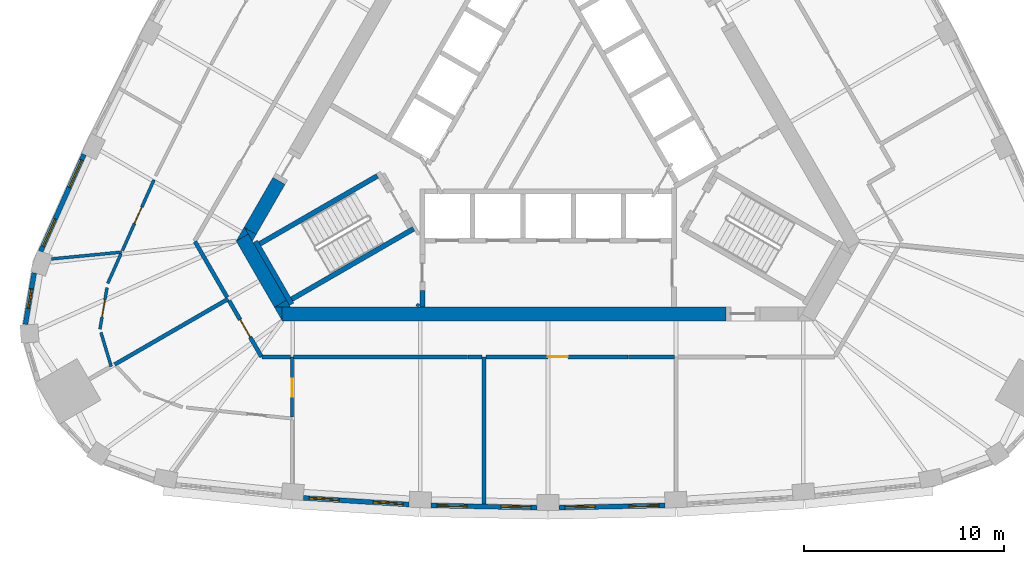
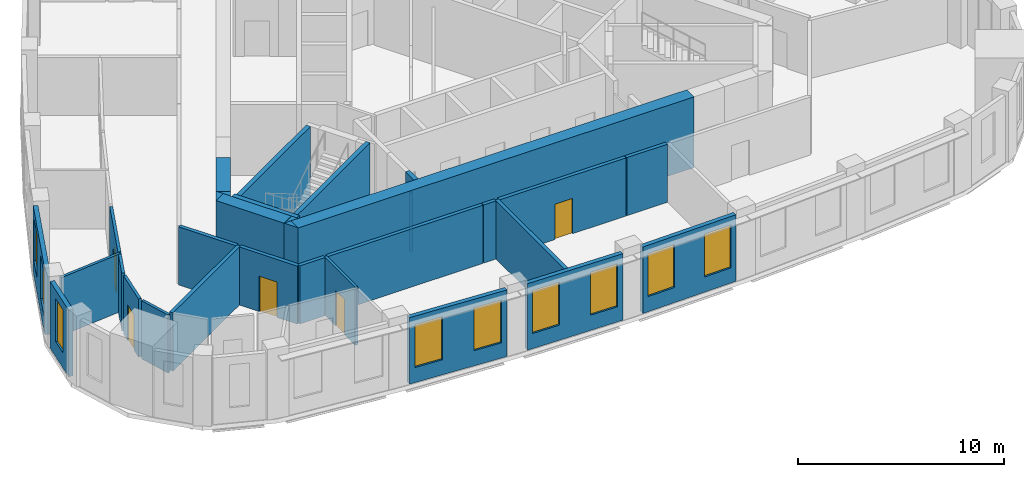
# One storey, part 3 of 10: 32 walls, 9 windows, 5 doors, 14 openings.
"""IFC4 building model written with IfcOpenShell, lengths in metres."""

from ifc_helpers import new_model, si_unit, direction, frame, frame_2d, origin, place, context, subcontext, project, spatial, polyline, rectangle, outline, extrude, material, layer, layer_set, type_object, element, fill, save


model = new_model("IFC4")

# Units and contexts
model_context = context("Model", 3, precision=1e-05, world=origin(), true_north=direction((0.0, 1.0)))
body_context = subcontext(model_context, "Body", "Model", "MODEL_VIEW")
ifc_project = project(units=[si_unit("LENGTHUNIT", "METRE"), si_unit("AREAUNIT", "SQUARE_METRE"), si_unit("VOLUMEUNIT", "CUBIC_METRE"), si_unit("PLANEANGLEUNIT", "RADIAN"), si_unit("MASSUNIT", "GRAM", prefix="KILO")], contexts=[model_context])

# Site, building, storey
site_placement = place(None, origin())
site = spatial("IfcSite", under=ifc_project, at=site_placement, CompositionType="ELEMENT")
building_placement = place(site_placement, origin())
building = spatial("IfcBuilding", under=site, at=building_placement, Name="Mestral Congress Tower", CompositionType="ELEMENT")
storey_placement = place(building_placement, frame((0.0, 0.0, 218.39990234375)))
storey = spatial("IfcBuildingStorey", under=building, at=storey_placement, Name="L51", CompositionType="ELEMENT", Elevation=218.39990234375)

# Walls
ifc_material_1 = material(Name="Fire-rated board partition")
ifc_layer_1 = layer(ifc_material_1, 0.14990234375)
ifc_layer_set_1 = layer_set([ifc_layer_1], Name="Fire-rated board partition")
wall_type_1 = type_object("IfcWallType", Name="Core partition 150", PredefinedType="PARTITIONING", material=ifc_layer_set_1)
wall_1_placement = place(storey_placement, frame((-6.552978515625, -9.6181640625, 0.0), z_axis=(0.0, 0.0, 1.0), x_axis=(0.499915430684, 0.866074224396, 0.0)))
element("IfcWall", 1, at=wall_1_placement, inside=storey, type_object=wall_type_1, Name="L51 core wall", PredefinedType="PARTITIONING", context=body_context, shape_type="SweptSolid", body=[
    extrude(rectangle(XDim=0.14599609375, YDim=0.14990234375, at=frame_2d((0.072998046875, 0.0))), origin(), (0.0, 0.0, 1.0), 3.4501953125),
])
ifc_material_2 = material(Name="Concrete C60/75", Category="concrete")
ifc_layer_2 = layer(ifc_material_2, 0.699951171875)
ifc_layer_set_2 = layer_set([ifc_layer_2], Name="Concrete C60/75")
wall_type_2 = type_object("IfcWallType", Name="Core wall RC 700", PredefinedType="SOLIDWALL", material=ifc_layer_set_2)
wall_2_placement = place(storey_placement, frame((8.904296875, -10.0, 0.0), z_axis=(0.0, 0.0, 1.0), x_axis=(-1.0, 0.0, 0.0)))
element("IfcWall", 2, at=wall_2_placement, inside=storey, type_object=wall_type_2, Name="L51 core wall", PredefinedType="SOLIDWALL", context=body_context, shape_type="SweptSolid", body=[
    extrude(rectangle(XDim=22.226318359375, YDim=0.699951171875, at=frame_2d((11.11328125, 0.0))), origin(), (0.0, 0.0, 1.0), 4.2001953125),
])
placement = place(storey_placement, origin())
element("IfcWall", 3, at=placement, inside=storey, type_object=wall_type_2, Name="L51 core wall", PredefinedType="SOLIDWALL", context=body_context, shape_type="SweptSolid", body=[
    extrude(outline(polyline([(-13.7119140625, -9.64990234375), (-13.323974609375, -9.64990234375), (-13.323974609375, -10.322021484375), (-13.7119140625, -9.64990234375)])), origin(), (0.0, 0.0, 1.0), 4.2001953125),
])
wall_4_placement = place(storey_placement, frame((-13.40185546875, -9.4873046875, 0.0), z_axis=(0.0, 0.0, 1.0), x_axis=(-0.500020498207, 0.866013568815, 0.0)))
element("IfcWall", 4, at=wall_4_placement, inside=storey, type_object=wall_type_2, Name="L51 core wall", PredefinedType="SOLIDWALL", context=body_context, shape_type="SweptSolid", body=[
    extrude(rectangle(XDim=3.828857421875, YDim=0.699951171875, at=frame_2d((1.91455078125, 0.0))), origin(), (0.0, 0.0, 1.0), 4.2001953125),
])
element("IfcWall", 5, at=placement, inside=storey, type_object=wall_type_2, Name="L51 core wall", PredefinedType="SOLIDWALL", context=body_context, shape_type="SweptSolid", body=[
    extrude(outline(polyline([(-15.01416015625, -5.99462890625), (-15.611083984375, -6.33935546875), (-15.213134765625, -5.64990234375), (-15.01416015625, -5.99462890625)])), origin(), (0.0, 0.0, 1.0), 4.2001953125),
])
element("IfcWall", 6, at=placement, inside=storey, type_object=wall_type_2, Name="L51 core wall", PredefinedType="SOLIDWALL", context=body_context, shape_type="SweptSolid", body=[
    extrude(outline(polyline([(-12.90380859375, -9.64990234375), (-13.6796875, -9.64990234375), (-13.097900390625, -9.31396484375), (-12.90380859375, -9.64990234375)])), origin(), (0.0, 0.0, 1.0), 4.2001953125),
])
wall_7_placement = place(storey_placement, frame((-13.47509765625, -3.33935546875, 0.0), z_axis=(0.0, 0.0, 1.0), x_axis=(-0.499944726303, -0.866057313716, 0.0)))
element("IfcWall", 7, at=wall_7_placement, inside=storey, type_object=wall_type_2, Name="L51 core wall", PredefinedType="SOLIDWALL", context=body_context, shape_type="SweptSolid", body=[
    extrude(rectangle(XDim=2.884033203125, YDim=0.699951171875, at=frame_2d((1.44189453125, 0.0))), origin(), (0.0, 0.0, 1.0), 4.2001953125),
])
element("IfcWall", 8, at=placement, inside=storey, type_object=wall_type_2, Name="L51 core wall", PredefinedType="SOLIDWALL", context=body_context, shape_type="SweptSolid", body=[
    extrude(outline(polyline([(-14.80908203125, -6.35009765625), (-15.197021484375, -5.677978515625), (-14.614990234375, -6.013916015625), (-14.80908203125, -6.35009765625)])), origin(), (0.0, 0.0, 1.0), 4.2001953125),
])

# Wall, openings, windows
ifc_material_3 = material(Name="Precast concrete C40/50 with limestone facing", Category="masonry")
ifc_layer_3 = layer(ifc_material_3, 0.239990234375)
ifc_layer_set_3 = layer_set([ifc_layer_3], Name="Precast concrete C40/50 with limestone facing")
wall_type_3 = type_object("IfcWallType", Name="Facade stone wall 240", PredefinedType="SOLIDWALL", material=ifc_layer_set_3)
wall_9_placement = place(storey_placement, frame((-12.253173828125, -19.21337890625, 0.0), z_axis=(0.0, 0.0, 1.0), x_axis=(0.9980633213, -0.062206162685, 0.0)))
wall_9 = element("IfcWall", 9, at=wall_9_placement, inside=storey, type_object=wall_type_3, Name="Facade wall F0-01", PredefinedType="SOLIDWALL", context=body_context, shape_type="SweptSolid", body=[
    extrude(rectangle(XDim=5.29833984375, YDim=0.239990234375, at=frame_2d((2.649169921875, 0.0))), origin(), (0.0, 0.0, 1.0), 3.9501953125),
])
opening_1_placement = place(wall_9_placement, frame((0.29443359375, 0.0, 0.89990234375)))
opening_1 = element("IfcOpeningElement", 10, at=opening_1_placement, cuts=wall_9, Name="Opening W4", PredefinedType="OPENING", context=body_context, shape_type="SweptSolid", body=[
    extrude(rectangle(XDim=1.5, YDim=2.550048828125, at=frame_2d((0.75, 1.27490234375))), frame((0.0, 0.1298828125, 0.0), z_axis=(0.0, -1.0, 0.0), x_axis=(1.0, 0.0, 0.0)), (0.0, 0.0, 1.0), 0.260009765625),
])
opening_2_placement = place(wall_9_placement, frame((3.503662109375, 0.0, 0.89990234375)))
opening_2 = element("IfcOpeningElement", 11, at=opening_2_placement, cuts=wall_9, Name="Opening W4", PredefinedType="OPENING", context=body_context, shape_type="SweptSolid", body=[
    extrude(rectangle(XDim=1.5, YDim=2.550048828125, at=frame_2d((0.75, 1.27490234375))), frame((0.0, 0.1298828125, 0.0), z_axis=(0.0, -1.0, 0.0), x_axis=(1.0, 0.0, 0.0)), (0.0, 0.0, 1.0), 0.260009765625),
])
ifc_material_4 = material(Name="Clear low-emissivity double glazing", Category="glass")
window_type_1 = type_object("IfcWindowType", Name="Facade punched window 1500 x 2550 sill 900", PartitioningType="SINGLE_PANEL", PredefinedType="WINDOW", material=ifc_material_4)
window_1_placement = place(opening_1_placement, origin())
window_1 = element("IfcWindow", 12, at=window_1_placement, inside=storey, type_object=window_type_1, Name="Window F0-01a", OverallHeight=2.550048828125, OverallWidth=1.5, PartitioningType="SINGLE_PANEL", PredefinedType="WINDOW", context=body_context, shape_type="SweptSolid", body=[
    extrude(rectangle(XDim=1.5, YDim=2.550048828125, at=frame_2d((0.75, 1.27490234375))), frame((0.0, 0.0400390625, 0.0), z_axis=(0.0, -1.0, 0.0), x_axis=(1.0, 0.0, 0.0)), (0.0, 0.0, 1.0), 0.06005859375),
])
fill(opening_1, window_1)
window_2_placement = place(opening_2_placement, origin())
window_2 = element("IfcWindow", 13, at=window_2_placement, inside=storey, type_object=window_type_1, Name="Window F0-01b", OverallHeight=2.550048828125, OverallWidth=1.5, PartitioningType="SINGLE_PANEL", PredefinedType="WINDOW", context=body_context, shape_type="SweptSolid", body=[
    extrude(rectangle(XDim=1.5, YDim=2.550048828125, at=frame_2d((0.75, 1.27490234375))), frame((0.0, 0.0400390625, 0.0), z_axis=(0.0, -1.0, 0.0), x_axis=(1.0, 0.0, 0.0)), (0.0, 0.0, 1.0), 0.06005859375),
])
fill(opening_2, window_2)

wall_10_placement = place(storey_placement, frame((-5.853515625, -19.589111328125, 0.0), z_axis=(0.0, 0.0, 1.0), x_axis=(0.999784035184, -0.020781794712, 0.0)))
wall_10 = element("IfcWall", 14, at=wall_10_placement, inside=storey, type_object=wall_type_3, Name="Facade wall F0-02", PredefinedType="SOLIDWALL", context=body_context, shape_type="SweptSolid", body=[
    extrude(rectangle(XDim=5.29833984375, YDim=0.239990234375, at=frame_2d((2.649169921875, 0.0))), origin(), (0.0, 0.0, 1.0), 3.9501953125),
])
opening_3_placement = place(wall_10_placement, frame((0.29443359375, 0.0, 0.89990234375)))
opening_3 = element("IfcOpeningElement", 15, at=opening_3_placement, cuts=wall_10, Name="Opening W4", PredefinedType="OPENING", context=body_context, shape_type="SweptSolid", body=[
    extrude(rectangle(XDim=1.5, YDim=2.550048828125, at=frame_2d((0.75, 1.27490234375))), frame((0.0, 0.1298828125, 0.0), z_axis=(0.0, -1.0, 0.0), x_axis=(1.0, 0.0, 0.0)), (0.0, 0.0, 1.0), 0.260009765625),
])
opening_4_placement = place(wall_10_placement, frame((3.503662109375, 0.0, 0.89990234375)))
opening_4 = element("IfcOpeningElement", 16, at=opening_4_placement, cuts=wall_10, Name="Opening W4", PredefinedType="OPENING", context=body_context, shape_type="SweptSolid", body=[
    extrude(rectangle(XDim=1.5, YDim=2.550048828125, at=frame_2d((0.75, 1.27490234375))), frame((0.0, 0.1298828125, 0.0), z_axis=(0.0, -1.0, 0.0), x_axis=(1.0, 0.0, 0.0)), (0.0, 0.0, 1.0), 0.260009765625),
])
window_3_placement = place(opening_3_placement, origin())
window_3 = element("IfcWindow", 17, at=window_3_placement, inside=storey, type_object=window_type_1, Name="Window F0-02a", OverallHeight=2.550048828125, OverallWidth=1.5, PartitioningType="SINGLE_PANEL", PredefinedType="WINDOW", context=body_context, shape_type="SweptSolid", body=[
    extrude(rectangle(XDim=1.5, YDim=2.550048828125, at=frame_2d((0.75, 1.27490234375))), frame((0.0, 0.0400390625, 0.0), z_axis=(0.0, -1.0, 0.0), x_axis=(1.0, 0.0, 0.0)), (0.0, 0.0, 1.0), 0.06005859375),
])
fill(opening_3, window_3)
window_4_placement = place(opening_4_placement, origin())
window_4 = element("IfcWindow", 18, at=window_4_placement, inside=storey, type_object=window_type_1, Name="Window F0-02b", OverallHeight=2.550048828125, OverallWidth=1.5, PartitioningType="SINGLE_PANEL", PredefinedType="WINDOW", context=body_context, shape_type="SweptSolid", body=[
    extrude(rectangle(XDim=1.5, YDim=2.550048828125, at=frame_2d((0.75, 1.27490234375))), frame((0.0, 0.0400390625, 0.0), z_axis=(0.0, -1.0, 0.0), x_axis=(1.0, 0.0, 0.0)), (0.0, 0.0, 1.0), 0.06005859375),
])
fill(opening_4, window_4)

wall_11_placement = place(storey_placement, frame((0.556396484375, -19.69921875, 0.0), z_axis=(0.0, 0.0, 1.0), x_axis=(0.999784035184, 0.020781794712, 0.0)))
wall_11 = element("IfcWall", 19, at=wall_11_placement, inside=storey, type_object=wall_type_3, Name="Facade wall F0-03", PredefinedType="SOLIDWALL", context=body_context, shape_type="SweptSolid", body=[
    extrude(rectangle(XDim=5.29833984375, YDim=0.239990234375, at=frame_2d((2.649169921875, 0.0))), origin(), (0.0, 0.0, 1.0), 3.9501953125),
])
opening_5_placement = place(wall_11_placement, frame((0.29443359375, 0.0, 0.89990234375)))
opening_5 = element("IfcOpeningElement", 20, at=opening_5_placement, cuts=wall_11, Name="Opening W4", PredefinedType="OPENING", context=body_context, shape_type="SweptSolid", body=[
    extrude(rectangle(XDim=1.5, YDim=2.550048828125, at=frame_2d((0.75, 1.27490234375))), frame((0.0, 0.1298828125, 0.0), z_axis=(0.0, -1.0, 0.0), x_axis=(1.0, 0.0, 0.0)), (0.0, 0.0, 1.0), 0.260009765625),
])
opening_6_placement = place(wall_11_placement, frame((3.503662109375, 0.0, 0.89990234375)))
opening_6 = element("IfcOpeningElement", 21, at=opening_6_placement, cuts=wall_11, Name="Opening W4", PredefinedType="OPENING", context=body_context, shape_type="SweptSolid", body=[
    extrude(rectangle(XDim=1.5, YDim=2.550048828125, at=frame_2d((0.75, 1.27490234375))), frame((0.0, 0.1298828125, 0.0), z_axis=(0.0, -1.0, 0.0), x_axis=(1.0, 0.0, 0.0)), (0.0, 0.0, 1.0), 0.260009765625),
])
window_5_placement = place(opening_5_placement, origin())
window_5 = element("IfcWindow", 22, at=window_5_placement, inside=storey, type_object=window_type_1, Name="Window F0-03a", OverallHeight=2.550048828125, OverallWidth=1.5, PartitioningType="SINGLE_PANEL", PredefinedType="WINDOW", context=body_context, shape_type="SweptSolid", body=[
    extrude(rectangle(XDim=1.5, YDim=2.550048828125, at=frame_2d((0.75, 1.27490234375))), frame((0.0, 0.0400390625, 0.0), z_axis=(0.0, -1.0, 0.0), x_axis=(1.0, 0.0, 0.0)), (0.0, 0.0, 1.0), 0.06005859375),
])
fill(opening_5, window_5)
window_6_placement = place(opening_6_placement, origin())
window_6 = element("IfcWindow", 23, at=window_6_placement, inside=storey, type_object=window_type_1, Name="Window F0-03b", OverallHeight=2.550048828125, OverallWidth=1.5, PartitioningType="SINGLE_PANEL", PredefinedType="WINDOW", context=body_context, shape_type="SweptSolid", body=[
    extrude(rectangle(XDim=1.5, YDim=2.550048828125, at=frame_2d((0.75, 1.27490234375))), frame((0.0, 0.0400390625, 0.0), z_axis=(0.0, -1.0, 0.0), x_axis=(1.0, 0.0, 0.0)), (0.0, 0.0, 1.0), 0.06005859375),
])
fill(opening_6, window_6)

wall_12_placement = place(storey_placement, frame((-23.240478515625, -2.01123046875, 0.0), z_axis=(0.0, 0.0, 1.0), x_axis=(-0.407579651789, -0.913169659728, 0.0)))
wall_12 = element("IfcWall", 24, at=wall_12_placement, inside=storey, type_object=wall_type_3, Name="Facade wall F2-05", PredefinedType="SOLIDWALL", context=body_context, shape_type="SweptSolid", body=[
    extrude(rectangle(XDim=5.310791015625, YDim=0.239990234375, at=frame_2d((2.6552734375, 0.0))), origin(), (0.0, 0.0, 1.0), 3.9501953125),
])
opening_7_placement = place(wall_12_placement, frame((0.306396484375, 0.0, 0.89990234375)))
opening_7 = element("IfcOpeningElement", 25, at=opening_7_placement, cuts=wall_12, Name="Opening W4", PredefinedType="OPENING", context=body_context, shape_type="SweptSolid", body=[
    extrude(rectangle(XDim=1.5, YDim=2.550048828125, at=frame_2d((0.75, 1.27490234375))), frame((0.0, 0.1298828125, 0.0), z_axis=(0.0, -1.0, 0.0), x_axis=(1.0, 0.0, 0.0)), (0.0, 0.0, 1.0), 0.260009765625),
])
opening_8_placement = place(wall_12_placement, frame((3.539306640625, 0.0, 0.89990234375)))
opening_8 = element("IfcOpeningElement", 26, at=opening_8_placement, cuts=wall_12, Name="Opening W4", PredefinedType="OPENING", context=body_context, shape_type="SweptSolid", body=[
    extrude(rectangle(XDim=1.5, YDim=2.550048828125, at=frame_2d((0.75, 1.27490234375))), frame((0.0, 0.1298828125, 0.0), z_axis=(0.0, -1.0, 0.0), x_axis=(1.0, 0.0, 0.0)), (0.0, 0.0, 1.0), 0.260009765625),
])
window_7_placement = place(opening_7_placement, origin())
window_7 = element("IfcWindow", 27, at=window_7_placement, inside=storey, type_object=window_type_1, Name="Window F2-05a", OverallHeight=2.550048828125, OverallWidth=1.5, PartitioningType="SINGLE_PANEL", PredefinedType="WINDOW", context=body_context, shape_type="SweptSolid", body=[
    extrude(rectangle(XDim=1.5, YDim=2.550048828125, at=frame_2d((0.75, 1.27490234375))), frame((0.0, 0.0400390625, 0.0), z_axis=(0.0, -1.0, 0.0), x_axis=(1.0, 0.0, 0.0)), (0.0, 0.0, 1.0), 0.06005859375),
])
fill(opening_7, window_7)
window_8_placement = place(opening_8_placement, origin())
window_8 = element("IfcWindow", 28, at=window_8_placement, inside=storey, type_object=window_type_1, Name="Window F2-05b", OverallHeight=2.550048828125, OverallWidth=1.5, PartitioningType="SINGLE_PANEL", PredefinedType="WINDOW", context=body_context, shape_type="SweptSolid", body=[
    extrude(rectangle(XDim=1.5, YDim=2.550048828125, at=frame_2d((0.75, 1.27490234375))), frame((0.0, 0.0400390625, 0.0), z_axis=(0.0, -1.0, 0.0), x_axis=(1.0, 0.0, 0.0)), (0.0, 0.0, 1.0), 0.06005859375),
])
fill(opening_8, window_8)

# Wall, opening, window
wall_13_placement = place(storey_placement, frame((-25.734130859375, -7.94482421875, 0.0), z_axis=(0.0, 0.0, 1.0), x_axis=(-0.167660055546, -0.985844869021, 0.0)))
wall_13 = element("IfcWall", 29, at=wall_13_placement, inside=storey, type_object=wall_type_3, Name="Facade wall K2-0", PredefinedType="SOLIDWALL", context=body_context, shape_type="SweptSolid", body=[
    extrude(rectangle(XDim=2.609375, YDim=0.239990234375, at=frame_2d((1.3046875, 0.0))), origin(), (0.0, 0.0, 1.0), 3.9501953125),
])
opening_9_placement = place(wall_13_placement, frame((0.8046875, 0.0, 0.89990234375)))
opening_9 = element("IfcOpeningElement", 30, at=opening_9_placement, cuts=wall_13, Name="Opening W5", PredefinedType="OPENING", context=body_context, shape_type="SweptSolid", body=[
    extrude(rectangle(XDim=1.0, YDim=2.550048828125, at=frame_2d((0.5, 1.27490234375))), frame((0.0, 0.1298828125, 0.0), z_axis=(0.0, -1.0, 0.0), x_axis=(1.0, 0.0, 0.0)), (0.0, 0.0, 1.0), 0.260009765625),
])
window_type_2 = type_object("IfcWindowType", Name="Facade punched window 1000 x 2550 sill 900", PartitioningType="SINGLE_PANEL", PredefinedType="WINDOW", material=ifc_material_4)
window_9_placement = place(opening_9_placement, origin())
window_9 = element("IfcWindow", 31, at=window_9_placement, inside=storey, type_object=window_type_2, Name="Window K2-0", OverallHeight=2.550048828125, OverallWidth=1.0, PartitioningType="SINGLE_PANEL", PredefinedType="WINDOW", context=body_context, shape_type="SweptSolid", body=[
    extrude(rectangle(XDim=1.0, YDim=2.550048828125, at=frame_2d((0.5, 1.27490234375))), frame((0.0, 0.0400390625, 0.0), z_axis=(0.0, -1.0, 0.0), x_axis=(1.0, 0.0, 0.0)), (0.0, 0.0, 1.0), 0.06005859375),
])
fill(opening_9, window_9)

# Wall
ifc_material_5 = material(Name="Plasterboard partition on steel studs", Category="steel")
ifc_layer_4 = layer(ifc_material_5, 0.14990234375)
ifc_layer_set_4 = layer_set([ifc_layer_4], Name="Plasterboard partition on steel studs")
wall_type_4 = type_object("IfcWallType", Name="Office partition 150", PredefinedType="PARTITIONING", material=ifc_layer_set_4)
wall_14_placement = place(storey_placement, frame((-21.350830078125, -6.904296875, 0.0), z_axis=(0.0, 0.0, 1.0), x_axis=(-0.995356631468, -0.096255785242, 0.0)))
element("IfcWall", 32, at=wall_14_placement, inside=storey, type_object=wall_type_4, Name="Partition", PredefinedType="PARTITIONING", context=body_context, shape_type="SweptSolid", body=[
    extrude(rectangle(XDim=3.53564453125, YDim=0.14990234375, at=frame_2d((1.767822265625, 0.0))), origin(), (0.0, 0.0, 1.0), 3.4501953125),
])

# Wall, opening, door
wall_15_placement = place(storey_placement, frame((-21.315673828125, -6.82568359375, 0.0), z_axis=(0.0, 0.0, 1.0), x_axis=(0.407639588163, 0.913142905663, 0.0)))
wall_15 = element("IfcWall", 33, at=wall_15_placement, inside=storey, type_object=wall_type_4, Name="Partition", PredefinedType="PARTITIONING", context=body_context, shape_type="SweptSolid", body=[
    extrude(rectangle(XDim=3.876708984375, YDim=0.14990234375, at=frame_2d((1.9384765625, 0.0))), origin(), (0.0, 0.0, 1.0), 3.4501953125),
])
opening_10_placement = place(wall_15_placement, frame((1.4765625, 0.0, 0.0)))
opening_10 = element("IfcOpeningElement", 34, at=opening_10_placement, cuts=wall_15, Name="Opening O07-014", PredefinedType="OPENING", context=body_context, shape_type="SweptSolid", body=[
    extrude(rectangle(XDim=0.89990234375, YDim=2.10009765625, at=frame_2d((0.449951171875, 1.050048828125))), frame((0.0, 0.0849609375, 0.0), z_axis=(0.0, -1.0, 0.0), x_axis=(1.0, 0.0, 0.0)), (0.0, 0.0, 1.0), 0.169921875),
])
ifc_material_6 = material(Name="Timber door set", Category="wood")
door_type_1 = type_object("IfcDoorType", Name="Office door 900x2100", OperationType="SINGLE_SWING_LEFT", PredefinedType="DOOR", material=ifc_material_6)
door_1_placement = place(opening_10_placement, origin())
door_1 = element("IfcDoor", 35, at=door_1_placement, inside=storey, type_object=door_type_1, Name="Door O07-014", OperationType="SINGLE_SWING_LEFT", OverallHeight=2.10009765625, OverallWidth=0.89990234375, PredefinedType="DOOR", context=body_context, shape_type="SweptSolid", body=[
    extrude(rectangle(XDim=0.89990234375, YDim=2.10009765625, at=frame_2d((0.449951171875, 1.050048828125))), frame((0.0, 0.02490234375, 0.0), z_axis=(0.0, -1.0, 0.0), x_axis=(1.0, 0.0, 0.0)), (0.0, 0.0, 1.0), 0.050048828125),
])
fill(opening_10, door_1)

# Wall
wall_16_placement = place(storey_placement, frame((-21.385986328125, -6.983154296875, 0.0), z_axis=(0.0, 0.0, 1.0), x_axis=(-0.407597309494, -0.91316177827, 0.0)))
element("IfcWall", 36, at=wall_16_placement, inside=storey, type_object=wall_type_4, Name="Partition", PredefinedType="PARTITIONING", context=body_context, shape_type="SweptSolid", body=[
    extrude(rectangle(XDim=1.6298828125, YDim=0.14990234375, at=frame_2d((0.81494140625, 0.0))), origin(), (0.0, 0.0, 1.0), 3.4501953125),
])

# Wall, opening, door
wall_17_placement = place(storey_placement, frame((-22.43994140625, -10.7626953125, 0.0), z_axis=(0.0, 0.0, 1.0), x_axis=(0.167682096872, 0.985841120257, 0.0)))
wall_17 = element("IfcWall", 37, at=wall_17_placement, inside=storey, type_object=wall_type_4, Name="Partition", PredefinedType="PARTITIONING", context=body_context, shape_type="SweptSolid", body=[
    extrude(rectangle(XDim=2.109619140625, YDim=0.14990234375, at=frame_2d((1.0546875, 0.0))), origin(), (0.0, 0.0, 1.0), 3.4501953125),
])
opening_11_placement = place(wall_17_placement, frame((0.609619140625, 0.0, 0.0)))
opening_11 = element("IfcOpeningElement", 38, at=opening_11_placement, cuts=wall_17, Name="Opening O07-015", PredefinedType="OPENING", context=body_context, shape_type="SweptSolid", body=[
    extrude(rectangle(XDim=0.89990234375, YDim=2.10009765625, at=frame_2d((0.449951171875, 1.050048828125))), frame((0.0, 0.0849609375, 0.0), z_axis=(0.0, -1.0, 0.0), x_axis=(1.0, 0.0, 0.0)), (0.0, 0.0, 1.0), 0.169921875),
])
door_2_placement = place(opening_11_placement, origin())
door_2 = element("IfcDoor", 39, at=door_2_placement, inside=storey, type_object=door_type_1, Name="Door O07-015", OperationType="SINGLE_SWING_RIGHT", OverallHeight=2.10009765625, OverallWidth=0.89990234375, PredefinedType="DOOR", context=body_context, shape_type="SweptSolid", body=[
    extrude(rectangle(XDim=0.89990234375, YDim=2.10009765625, at=frame_2d((0.449951171875, 1.050048828125))), frame((0.0, 0.02490234375, 0.0), z_axis=(0.0, -1.0, 0.0), x_axis=(1.0, 0.0, 0.0)), (0.0, 0.0, 1.0), 0.050048828125),
])
fill(opening_11, door_2)

# Wall
wall_18_placement = place(storey_placement, frame((-22.39111328125, -10.924072265625, 0.0), z_axis=(0.0, 0.0, 1.0), x_axis=(0.288642134652, -0.957437056993, 0.0)))
element("IfcWall", 40, at=wall_18_placement, inside=storey, type_object=wall_type_4, Name="Partition", PredefinedType="PARTITIONING", context=body_context, shape_type="SweptSolid", body=[
    extrude(rectangle(XDim=1.7822265625, YDim=0.14990234375, at=frame_2d((0.89111328125, 0.0))), origin(), (0.0, 0.0, 1.0), 3.4501953125),
])

# Wall, opening, door
wall_19_placement = place(storey_placement, frame((-12.822509765625, -12.14990234375, 0.0), z_axis=(0.0, 0.0, 1.0), x_axis=(0.0, -1.0, 0.0)))
wall_19 = element("IfcWall", 41, at=wall_19_placement, inside=storey, type_object=wall_type_4, Name="Partition", PredefinedType="PARTITIONING", context=body_context, shape_type="SweptSolid", body=[
    extrude(rectangle(XDim=3.0107421875, YDim=0.14990234375, at=frame_2d((1.50537109375, 0.0))), origin(), (0.0, 0.0, 1.0), 3.4501953125),
])
opening_12_placement = place(wall_19_placement, frame((1.10009765625, 0.0, 0.0)))
opening_12 = element("IfcOpeningElement", 42, at=opening_12_placement, cuts=wall_19, Name="Opening O07-020", PredefinedType="OPENING", context=body_context, shape_type="SweptSolid", body=[
    extrude(rectangle(XDim=0.89990234375, YDim=2.10009765625, at=frame_2d((0.449951171875, 1.050048828125))), frame((0.0, 0.0849609375, 0.0), z_axis=(0.0, -1.0, 0.0), x_axis=(1.0, 0.0, 0.0)), (0.0, 0.0, 1.0), 0.169921875),
])
door_3_placement = place(opening_12_placement, origin())
door_3 = element("IfcDoor", 43, at=door_3_placement, inside=storey, type_object=door_type_1, Name="Door O07-020", OperationType="SINGLE_SWING_RIGHT", OverallHeight=2.10009765625, OverallWidth=0.89990234375, PredefinedType="DOOR", context=body_context, shape_type="SweptSolid", body=[
    extrude(rectangle(XDim=0.89990234375, YDim=2.10009765625, at=frame_2d((0.449951171875, 1.050048828125))), frame((0.0, 0.02490234375, 0.0), z_axis=(0.0, -1.0, 0.0), x_axis=(1.0, 0.0, 0.0)), (0.0, 0.0, 1.0), 0.050048828125),
])
fill(opening_12, door_3)

# Wall
ifc_material_7 = material(Name="Dense masonry wall, plastered", Category="masonry")
ifc_layer_5 = layer(ifc_material_7, 0.199951171875)
ifc_layer_set_5 = layer_set([ifc_layer_5], Name="Dense masonry wall, plastered")
wall_type_5 = type_object("IfcWallType", Name="Office tenancy wall 200", PredefinedType="PARTITIONING", material=ifc_layer_set_5)
wall_20_placement = place(storey_placement, frame((-3.20849609375, -19.524169921875, 0.0), z_axis=(0.0, 0.0, 1.0), x_axis=(0.0, 1.0, 0.0)))
element("IfcWall", 44, at=wall_20_placement, inside=storey, type_object=wall_type_5, Name="Tenancy wall", PredefinedType="PARTITIONING", context=body_context, shape_type="SweptSolid", body=[
    extrude(rectangle(XDim=7.374267578125, YDim=0.199951171875, at=frame_2d((3.68701171875, 0.0))), origin(), (0.0, 0.0, 1.0), 3.4501953125),
])

# Wall, opening, door
wall_21_placement = place(storey_placement, frame((-3.1083984375, -12.14990234375, 0.0), z_axis=(0.0, 0.0, 1.0), x_axis=(1.0, 0.0, 0.0)))
wall_21 = element("IfcWall", 45, at=wall_21_placement, inside=storey, type_object=wall_type_5, Name="Tenancy wall", PredefinedType="PARTITIONING", context=body_context, shape_type="SweptSolid", body=[
    extrude(rectangle(XDim=7.1083984375, YDim=0.199951171875, at=frame_2d((3.55419921875, 0.0))), origin(), (0.0, 0.0, 1.0), 3.4501953125),
])
opening_13_placement = place(wall_21_placement, frame((3.10009765625, 0.0, 0.0)))
opening_13 = element("IfcOpeningElement", 46, at=opening_13_placement, cuts=wall_21, Name="Opening O07-001", PredefinedType="OPENING", context=body_context, shape_type="SweptSolid", body=[
    extrude(rectangle(XDim=1.0, YDim=2.10009765625, at=frame_2d((0.5, 1.050048828125))), frame((0.0, 0.10986328125, 0.0), z_axis=(0.0, -1.0, 0.0), x_axis=(1.0, 0.0, 0.0)), (0.0, 0.0, 1.0), 0.219970703125),
])
ifc_material_8 = material(Name="Fire-rated timber door set", Category="wood")
door_type_2 = type_object("IfcDoorType", Name="Office tenancy entrance door 1000x2100", OperationType="SINGLE_SWING_LEFT", PredefinedType="DOOR", material=ifc_material_8)
door_4_placement = place(opening_13_placement, origin())
door_4 = element("IfcDoor", 47, at=door_4_placement, inside=storey, type_object=door_type_2, Name="Door O07-001", OperationType="SINGLE_SWING_RIGHT", OverallHeight=2.10009765625, OverallWidth=1.0, PredefinedType="DOOR", context=body_context, shape_type="SweptSolid", body=[
    extrude(rectangle(XDim=1.0, YDim=2.10009765625, at=frame_2d((0.5, 1.050048828125))), frame((0.0, 0.02490234375, 0.0), z_axis=(0.0, -1.0, 0.0), x_axis=(1.0, 0.0, 0.0)), (0.0, 0.0, 1.0), 0.050048828125),
])
fill(opening_13, door_4)

# Walls
wall_22_placement = place(storey_placement, frame((4.030029296875, -12.14990234375, 0.0), z_axis=(0.0, 0.0, 1.0), x_axis=(1.0, 0.0, 0.0)))
element("IfcWall", 48, at=wall_22_placement, inside=storey, type_object=wall_type_5, Name="Tenancy wall", PredefinedType="PARTITIONING", context=body_context, shape_type="SweptSolid", body=[
    extrude(rectangle(XDim=2.286865234375, YDim=0.199951171875, at=frame_2d((1.1435546875, 0.0))), origin(), (0.0, 0.0, 1.0), 3.4501953125),
])
wall_23_placement = place(storey_placement, frame((-16.021484375, -9.25, 0.0), z_axis=(0.0, 0.0, 1.0), x_axis=(-0.866021955858, -0.500005971936, 0.0)))
element("IfcWall", 49, at=wall_23_placement, inside=storey, type_object=wall_type_5, Name="Tenancy wall", PredefinedType="PARTITIONING", context=body_context, shape_type="SweptSolid", body=[
    extrude(rectangle(XDim=6.5595703125, YDim=0.199951171875, at=frame_2d((3.27978515625, 0.0))), origin(), (0.0, 0.0, 1.0), 3.4501953125),
])
wall_24_placement = place(storey_placement, frame((-17.680908203125, -6.3759765625, 0.0), z_axis=(0.0, 0.0, 1.0), x_axis=(0.500022299258, -0.866012528919, 0.0)))
element("IfcWall", 50, at=wall_24_placement, inside=storey, type_object=wall_type_5, Name="Tenancy wall", PredefinedType="PARTITIONING", context=body_context, shape_type="SweptSolid", body=[
    extrude(rectangle(XDim=3.218505859375, YDim=0.199951171875, at=frame_2d((1.609375, 0.0))), origin(), (0.0, 0.0, 1.0), 3.4501953125),
])

# Wall, opening, door
wall_25_placement = place(storey_placement, frame((-15.971435546875, -9.336669921875, 0.0), z_axis=(0.0, 0.0, 1.0), x_axis=(0.500010870188, -0.866019127788, 0.0)))
wall_25 = element("IfcWall", 51, at=wall_25_placement, inside=storey, type_object=wall_type_5, Name="Tenancy wall", PredefinedType="PARTITIONING", context=body_context, shape_type="SweptSolid", body=[
    extrude(rectangle(XDim=3.24853515625, YDim=0.199951171875, at=frame_2d((1.624267578125, 0.0))), origin(), (0.0, 0.0, 1.0), 3.4501953125),
])
opening_14_placement = place(wall_25_placement, frame((1.10009765625, 0.0, 0.0)))
opening_14 = element("IfcOpeningElement", 52, at=opening_14_placement, cuts=wall_25, Name="Opening O07-019", PredefinedType="OPENING", context=body_context, shape_type="SweptSolid", body=[
    extrude(rectangle(XDim=1.0, YDim=2.10009765625, at=frame_2d((0.5, 1.050048828125))), frame((0.0, 0.10986328125, 0.0), z_axis=(0.0, -1.0, 0.0), x_axis=(1.0, 0.0, 0.0)), (0.0, 0.0, 1.0), 0.219970703125),
])
door_5_placement = place(opening_14_placement, origin())
door_5 = element("IfcDoor", 53, at=door_5_placement, inside=storey, type_object=door_type_2, Name="Door O07-019", OperationType="SINGLE_SWING_LEFT", OverallHeight=2.10009765625, OverallWidth=1.0, PredefinedType="DOOR", context=body_context, shape_type="SweptSolid", body=[
    extrude(rectangle(XDim=1.0, YDim=2.10009765625, at=frame_2d((0.5, 1.050048828125))), frame((0.0, 0.02490234375, 0.0), z_axis=(0.0, -1.0, 0.0), x_axis=(1.0, 0.0, 0.0)), (0.0, 0.0, 1.0), 0.050048828125),
])
fill(opening_14, door_5)

# Walls
wall_26_placement = place(storey_placement, frame((-14.317138671875, -12.14990234375, 0.0), z_axis=(0.0, 0.0, 1.0), x_axis=(1.0, 0.0, 0.0)))
element("IfcWall", 54, at=wall_26_placement, inside=storey, type_object=wall_type_5, Name="Tenancy wall", PredefinedType="PARTITIONING", context=body_context, shape_type="SweptSolid", body=[
    extrude(rectangle(XDim=1.41943359375, YDim=0.199951171875, at=frame_2d((0.709716796875, 0.0))), origin(), (0.0, 0.0, 1.0), 3.4501953125),
])
wall_27_placement = place(storey_placement, frame((-4.0, -12.14990234375, 0.0), z_axis=(0.0, 0.0, 1.0), x_axis=(1.0, 0.0, 0.0)))
element("IfcWall", 55, at=wall_27_placement, inside=storey, type_object=wall_type_5, Name="Tenancy wall", PredefinedType="PARTITIONING", context=body_context, shape_type="SweptSolid", body=[
    extrude(rectangle(XDim=0.691650390625, YDim=0.199951171875, at=frame_2d((0.345703125, 0.0))), origin(), (0.0, 0.0, 1.0), 3.4501953125),
])
wall_28_placement = place(storey_placement, frame((-12.74755859375, -12.14990234375, 0.0), z_axis=(0.0, 0.0, 1.0), x_axis=(1.0, 0.0, 0.0)))
element("IfcWall", 56, at=wall_28_placement, inside=storey, type_object=wall_type_5, Name="Tenancy wall", PredefinedType="PARTITIONING", context=body_context, shape_type="SweptSolid", body=[
    extrude(rectangle(XDim=8.717529296875, YDim=0.199951171875, at=frame_2d((4.35888671875, 0.0))), origin(), (0.0, 0.0, 1.0), 3.4501953125),
])
ifc_layer_6 = layer(ifc_material_2, 0.25)
ifc_layer_set_6 = layer_set([ifc_layer_6], Name="Concrete C60/75")
wall_type_6 = type_object("IfcWallType", Name="Shaft wall RC 250", PredefinedType="SOLIDWALL", material=ifc_layer_set_6)
wall_29_placement = place(storey_placement, frame((-6.300048828125, -9.64990234375, 0.0), z_axis=(0.0, 0.0, 1.0), x_axis=(0.0, 1.0, 0.0)))
element("IfcWall", 57, at=wall_29_placement, inside=storey, type_object=wall_type_6, Name="L51 core wall", PredefinedType="SOLIDWALL", context=body_context, shape_type="SweptSolid", body=[
    extrude(rectangle(XDim=0.816162109375, YDim=0.25, at=frame_2d((0.408203125, 0.0))), origin(), (0.0, 0.0, 1.0), 4.2001953125),
])
ifc_layer_7 = layer(ifc_material_2, 0.25)
ifc_layer_set_7 = layer_set([ifc_layer_7], Name="Concrete C60/75")
wall_type_7 = type_object("IfcWallType", Name="Stair wall RC 250", PredefinedType="SOLIDWALL", material=ifc_layer_set_7)
wall_30_placement = place(storey_placement, frame((-12.839599609375, -9.510986328125, 0.0), z_axis=(0.0, 0.0, 1.0), x_axis=(-0.499997733992, 0.866026712061, 0.0)))
element("IfcWall", 58, at=wall_30_placement, inside=storey, type_object=wall_type_7, Name="L51 core wall", PredefinedType="SOLIDWALL", context=body_context, shape_type="SweptSolid", body=[
    extrude(rectangle(XDim=3.6337890625, YDim=0.25, at=frame_2d((1.81689453125, 0.0))), origin(), (0.0, 0.0, 1.0), 4.2001953125),
])
wall_31_placement = place(storey_placement, frame((-14.43994140625, -6.489501953125, 0.0), z_axis=(0.0, 0.0, 1.0), x_axis=(0.866022966069, 0.500004222222, 0.0)))
element("IfcWall", 59, at=wall_31_placement, inside=storey, type_object=wall_type_7, Name="L51 core wall", PredefinedType="SOLIDWALL", context=body_context, shape_type="SweptSolid", body=[
    extrude(rectangle(XDim=6.80029296875, YDim=0.25, at=frame_2d((3.400146484375, 0.0))), origin(), (0.0, 0.0, 1.0), 4.2001953125),
])
wall_32_placement = place(storey_placement, frame((-12.83984375, -9.2607421875, 0.0), z_axis=(0.0, 0.0, 1.0), x_axis=(0.866016039709, 0.500016218704, 0.0)))
element("IfcWall", 60, at=wall_32_placement, inside=storey, type_object=wall_type_7, Name="L51 core wall", PredefinedType="SOLIDWALL", context=body_context, shape_type="SweptSolid", body=[
    extrude(rectangle(XDim=7.050048828125, YDim=0.25, at=frame_2d((3.52490234375, 0.0))), origin(), (0.0, 0.0, 1.0), 4.2001953125),
])

save(model, "model.ifc")
